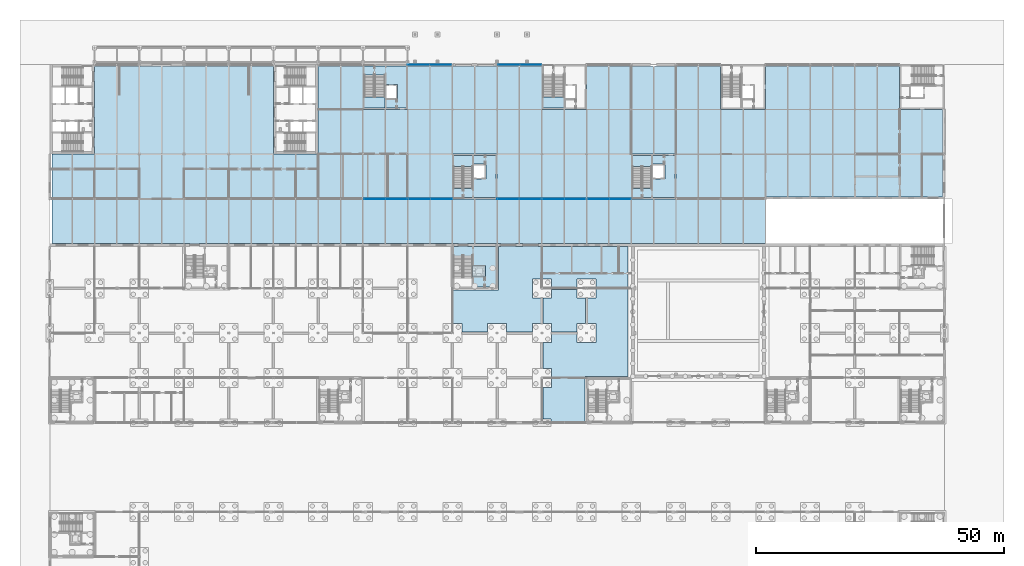
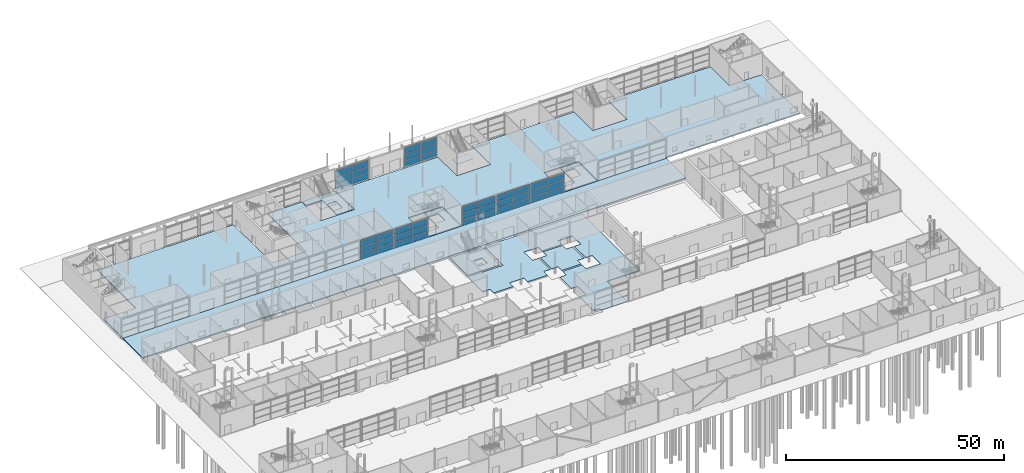
# One storey, part 57 of 97: 42 plates, 13 slabs, 11 elements without a shape of their own.
"""IFC4 building model written with IfcOpenShell, lengths in metres."""

from ifc_helpers import new_model, si_unit, direction, frame, origin, origin_2d, place, context, subcontext, project, spatial, polyline, rectangle, outline, extrude, material, layer, layer_set, type_object, element, aggregate, save


model = new_model("IFC4")

# Units and contexts
model_context = context("Model", 3, precision=1e-05, world=origin(), true_north=direction((0.0, 1.0)))
body_context = subcontext(model_context, "Body", "Model", "MODEL_VIEW")
ifc_project = project(units=[si_unit("LENGTHUNIT", "METRE"), si_unit("AREAUNIT", "SQUARE_METRE"), si_unit("VOLUMEUNIT", "CUBIC_METRE"), si_unit("PLANEANGLEUNIT", "RADIAN"), si_unit("MASSUNIT", "GRAM", prefix="KILO")], contexts=[model_context])

# Site, building, storey
site_placement = place(None, origin())
site = spatial("IfcSite", under=ifc_project, at=site_placement, CompositionType="ELEMENT")
building_placement = place(site_placement, origin())
building = spatial("IfcBuilding", under=site, at=building_placement, Name="Corbel Yard City Hall", CompositionType="ELEMENT")
storey_placement = place(building_placement, origin())
storey = spatial("IfcBuildingStorey", under=building, at=storey_placement, Name="L00", CompositionType="ELEMENT", Elevation=0.0)

# Slabs
ifc_material_1 = material(Name="Concrete N40 (40 MPa)", Category="concrete")
ifc_layer_1 = layer(ifc_material_1, 0.25)
ifc_layer_set_1 = layer_set([ifc_layer_1], Name="Concrete N40 (40 MPa)")
slab_type_1 = type_object("IfcSlabType", Name="CF1", PredefinedType="FLOOR", material=ifc_layer_set_1)
slab_1_placement = place(storey_placement, frame((0.0, 0.0, -0.25)))
element("IfcSlab", 1, at=slab_1_placement, inside=storey, type_object=slab_type_1, Name="Core floor slab", PredefinedType="FLOOR", context=body_context, shape_type="SweptSolid", body=[
    extrude(outline(polyline([(81.25, 72.25), (89.75, 72.25), (89.75, 80.39990234375), (81.25, 80.39990234375), (81.25, 72.25)]), holes=[polyline([(87.64990234375, 76.64990234375), (85.300048828125, 76.64990234375), (85.300048828125, 74.25), (87.64990234375, 74.25), (87.64990234375, 76.64990234375)])]), origin(), (0.0, 0.0, 1.0), 0.25),
])
slab_2_placement = place(storey_placement, frame((0.0, 0.0, -0.25)))
element("IfcSlab", 2, at=slab_2_placement, inside=storey, type_object=slab_type_1, Name="Core floor slab", PredefinedType="FLOOR", context=body_context, shape_type="SweptSolid", body=[
    extrude(outline(polyline([(63.25, 116.75), (63.25, 114.948974609375), (67.449951171875, 114.948974609375), (67.449951171875, 108.25), (71.75, 108.25), (71.75, 116.75), (63.25, 116.75)]), holes=[polyline([(69.949951171875, 110.0), (69.949951171875, 113.0), (67.699951171875, 113.0), (67.699951171875, 110.0), (69.949951171875, 110.0)])]), origin(), (0.0, 0.0, 1.0), 0.25),
])
slab_3_placement = place(storey_placement, frame((0.0, 0.0, -0.25)))
element("IfcSlab", 3, at=slab_3_placement, inside=storey, type_object=slab_type_1, Name="Core floor slab", PredefinedType="FLOOR", context=body_context, shape_type="SweptSolid", body=[
    extrude(outline(polyline([(89.75, 98.75), (85.050048828125, 98.75), (85.050048828125, 92.051025390625), (81.25, 92.051025390625), (81.25, 90.25), (89.75, 90.25), (89.75, 98.75)]), holes=[polyline([(87.75, 94.0), (87.75, 97.0), (85.300048828125, 97.0), (85.300048828125, 94.0), (87.75, 94.0)])]), origin(), (0.0, 0.0, 1.0), 0.25),
])
slab_4_placement = place(storey_placement, frame((0.0, 0.0, -0.25)))
element("IfcSlab", 4, at=slab_4_placement, inside=storey, type_object=slab_type_1, Name="Core floor slab", PredefinedType="FLOOR", context=body_context, shape_type="SweptSolid", body=[
    extrude(outline(polyline([(125.75, 98.75), (121.050048828125, 98.75), (121.050048828125, 92.051025390625), (117.25, 92.051025390625), (117.25, 90.25), (125.75, 90.25), (125.75, 98.75)]), holes=[polyline([(123.75, 94.0), (123.75, 97.0), (121.300048828125, 97.0), (121.300048828125, 94.0), (123.75, 94.0)])]), origin(), (0.0, 0.0, 1.0), 0.25),
])
ifc_layer_2 = layer(ifc_material_1, 0.300048828125)
ifc_layer_set_2 = layer_set([ifc_layer_2], Name="Concrete N40 (40 MPa)")
slab_type_2 = type_object("IfcSlabType", Name="CF2", PredefinedType="BASESLAB", material=ifc_layer_set_2)
slab_5_placement = place(storey_placement, frame((0.0, 0.0, -1.699951171875)))
element("IfcSlab", 5, at=slab_5_placement, inside=storey, type_object=slab_type_2, Name="Lift LP14 pit slab", PredefinedType="BASESLAB", context=body_context, shape_type="SweptSolid", body=[
    extrude(outline(polyline([(85.050048828125, 74.25), (87.64990234375, 74.25), (87.64990234375, 76.64990234375), (85.050048828125, 76.64990234375), (85.050048828125, 74.25)])), origin(), (0.0, 0.0, 1.0), 0.300048828125),
])
ifc_layer_3 = layer(ifc_material_1, 0.25)
ifc_layer_set_3 = layer_set([ifc_layer_3], Name="Concrete N40 (40 MPa)")
slab_type_3 = type_object("IfcSlabType", Name="Car park deck 250", PredefinedType="FLOOR", material=ifc_layer_set_3)
slab_6_placement = place(storey_placement, frame((0.0, 0.0, -0.25)))
element("IfcSlab", 6, at=slab_6_placement, inside=storey, type_object=slab_type_3, Name="Deck slab over the car park", PredefinedType="FLOOR", context=body_context, shape_type="SweptSolid", body=[
    extrude(outline(polyline([(36.199951171875, 116.60009765625), (36.199951171875, 117.0), (35.800048828125, 117.0), (35.800048828125, 116.60009765625), (27.199951171875, 116.60009765625), (27.199951171875, 117.0), (26.800048828125, 117.0), (26.800048828125, 116.60009765625), (18.199951171875, 116.60009765625), (18.199951171875, 117.0), (17.800048828125, 117.0), (17.800048828125, 116.60009765625), (9.0, 116.60009765625), (9.0, 99.0), (0.39990234375, 99.0), (0.39990234375, 90.0078125), (0.0, 90.0078125), (0.0, 90.0), (81.0, 90.0), (81.0, 99.0), (90.0, 99.0), (90.0, 90.0), (117.0, 90.0), (117.0, 99.0), (126.0, 99.0), (126.0, 90.0), (144.138427734375, 90.0), (144.138427734375, 90.39990234375), (179.60009765625, 90.39990234375), (179.60009765625, 98.9921875), (180.0, 98.9921875), (180.0, 99.0078125), (179.60009765625, 99.0078125), (179.60009765625, 108.0), (171.0, 108.0), (171.0, 116.60009765625), (162.138427734375, 116.60009765625), (162.138427734375, 117.0), (161.861572265625, 117.0), (161.861572265625, 116.60009765625), (153.138427734375, 116.60009765625), (153.138427734375, 117.0), (152.861572265625, 117.0), (152.861572265625, 116.60009765625), (144.0, 116.60009765625), (144.0, 108.0), (135.0, 108.0), (135.0, 116.60009765625), (126.138427734375, 116.60009765625), (126.138427734375, 117.0), (125.861572265625, 117.0), (125.861572265625, 116.60009765625), (117.138427734375, 116.60009765625), (117.138427734375, 117.0), (116.861572265625, 117.0), (116.861572265625, 116.60009765625), (108.0, 116.60009765625), (108.0, 108.0), (99.0, 108.0), (99.0, 116.60009765625), (90.138427734375, 116.60009765625), (90.138427734375, 117.0), (89.861572265625, 117.0), (89.861572265625, 116.60009765625), (81.138427734375, 116.60009765625), (81.138427734375, 117.0), (80.861572265625, 117.0), (80.861572265625, 116.60009765625), (72.0, 116.60009765625), (72.0, 108.0), (63.0, 108.0), (63.0, 116.60009765625), (54.0, 116.60009765625), (54.0, 99.0), (45.0, 99.0), (45.0, 116.60009765625), (36.199951171875, 116.60009765625)])), origin(), (0.0, 0.0, 1.0), 0.25),
])
ifc_layer_4 = layer(ifc_material_1, 0.25)
ifc_layer_set_4 = layer_set([ifc_layer_4], Name="Concrete N40 (40 MPa)")
slab_type_4 = type_object("IfcSlabType", Name="Court deck 250", PredefinedType="FLOOR", material=ifc_layer_set_4)
slab_7_placement = place(storey_placement, frame((0.0, 0.0, -0.25)))
element("IfcSlab", 7, at=slab_7_placement, inside=storey, type_object=slab_type_4, Name="Deck slab over the entry lane", PredefinedType="FLOOR", context=body_context, shape_type="SweptSolid", body=[
    extrude(outline(polyline([(144.0, 81.0), (144.0, 90.0), (0.0, 90.0), (0.0, 89.9921875), (0.39990234375, 89.9921875), (0.39990234375, 81.0), (144.0, 81.0)])), origin(), (0.0, 0.0, 1.0), 0.25),
])
ifc_layer_5 = layer(ifc_material_1, 0.199951171875)
ifc_layer_set_5 = layer_set([ifc_layer_5], Name="Concrete N40 (40 MPa)")
slab_type_5 = type_object("IfcSlabType", Name="Ground slab 200", PredefinedType="BASESLAB", material=ifc_layer_set_5)
slab_8_placement = place(storey_placement, frame((0.0, 0.0, -0.199951171875)))
element("IfcSlab", 8, at=slab_8_placement, inside=storey, type_object=slab_type_5, Name="Ground slab on grade Civic Foyer", PredefinedType="BASESLAB", context=body_context, shape_type="SweptSolid", body=[
    extrude(outline(polyline([(90.300048828125, 80.39990234375), (90.300048828125, 71.699951171875), (81.0, 71.699951171875), (81.0, 64.89990234375), (82.89990234375, 64.89990234375), (82.89990234375, 63.199951171875), (88.10009765625, 63.199951171875), (88.10009765625, 64.89990234375), (91.89990234375, 64.89990234375), (91.89990234375, 63.199951171875), (97.10009765625, 63.199951171875), (97.10009765625, 64.89990234375), (98.800048828125, 64.89990234375), (98.800048828125, 70.10009765625), (97.10009765625, 70.10009765625), (97.10009765625, 73.89990234375), (100.89990234375, 73.89990234375), (100.89990234375, 72.199951171875), (106.10009765625, 72.199951171875), (106.10009765625, 73.89990234375), (109.89990234375, 73.89990234375), (109.89990234375, 70.10009765625), (108.199951171875, 70.10009765625), (108.199951171875, 64.89990234375), (109.89990234375, 64.89990234375), (109.89990234375, 61.10009765625), (106.10009765625, 61.10009765625), (106.10009765625, 62.800048828125), (100.89990234375, 62.800048828125), (100.89990234375, 61.10009765625), (99.199951171875, 61.10009765625), (99.199951171875, 55.89990234375), (100.89990234375, 55.89990234375), (100.89990234375, 52.10009765625), (99.199951171875, 52.10009765625), (99.199951171875, 45.75), (100.800048828125, 45.75), (100.800048828125, 45.0), (107.699951171875, 45.0), (107.699951171875, 54.300048828125), (116.300048828125, 54.300048828125), (116.300048828125, 80.39990234375), (90.300048828125, 80.39990234375)])), origin(), (0.0, 0.0, 1.0), 0.199951171875),
])
slab_9_placement = place(storey_placement, frame((0.0, 0.0, -0.199951171875)))
element("IfcSlab", 9, at=slab_9_placement, inside=storey, type_object=slab_type_5, Name="Ground slab on grade Civic Foyer", PredefinedType="BASESLAB", context=body_context, shape_type="SweptSolid", body=[
    extrude(outline(polyline([(100.89990234375, 63.199951171875), (106.10009765625, 63.199951171875), (106.10009765625, 64.89990234375), (107.800048828125, 64.89990234375), (107.800048828125, 70.10009765625), (106.10009765625, 70.10009765625), (106.10009765625, 71.800048828125), (100.89990234375, 71.800048828125), (100.89990234375, 70.10009765625), (99.199951171875, 70.10009765625), (99.199951171875, 64.89990234375), (100.89990234375, 64.89990234375), (100.89990234375, 63.199951171875)])), origin(), (0.0, 0.0, 1.0), 0.199951171875),
])

# Stair, slab
stair_type_1 = type_object("IfcStairType", Name="ST32", PredefinedType="HALF_TURN_STAIR", material=ifc_material_1)
stair_1_placement = place(storey_placement, origin())
stair_1 = element("IfcStair", 10, at=stair_1_placement, inside=storey, type_object=stair_type_1, Name="Exit stair L00", PredefinedType="HALF_TURN_STAIR")
ifc_layer_6 = layer(ifc_material_1, 0.199951171875)
ifc_layer_set_6 = layer_set([ifc_layer_6], Name="Concrete N40 (40 MPa)")
slab_type_6 = type_object("IfcSlabType", Name="LN1", PredefinedType="LANDING", material=ifc_layer_set_6)
slab_10_placement = place(storey_placement, frame((0.0, 0.0, 2.800048828125)))
slab_10 = element("IfcSlab", 11, at=slab_10_placement, type_object=slab_type_6, Name="PS16 landing 1", PredefinedType="LANDING", context=body_context, shape_type="SweptSolid", body=[
    extrude(outline(polyline([(63.25, 108.25), (67.449951171875, 108.25), (67.449951171875, 110.469970703125), (63.25, 110.469970703125), (63.25, 108.25)])), origin(), (0.0, 0.0, 1.0), 0.199951171875),
])
aggregate(stair_1, [slab_10])

stair_2_placement = place(storey_placement, origin())
stair_2 = element("IfcStair", 12, at=stair_2_placement, inside=storey, type_object=stair_type_1, Name="Exit stair L00", PredefinedType="HALF_TURN_STAIR")
slab_11_placement = place(storey_placement, frame((0.0, 0.0, 2.800048828125)))
slab_11 = element("IfcSlab", 13, at=slab_11_placement, type_object=slab_type_6, Name="PS17 landing 1", PredefinedType="LANDING", context=body_context, shape_type="SweptSolid", body=[
    extrude(outline(polyline([(99.25, 108.25), (103.449951171875, 108.25), (103.449951171875, 110.469970703125), (99.25, 110.469970703125), (99.25, 108.25)])), origin(), (0.0, 0.0, 1.0), 0.199951171875),
])
aggregate(stair_2, [slab_11])

stair_type_2 = type_object("IfcStairType", Name="ST2", PredefinedType="HALF_TURN_STAIR", material=ifc_material_1)
stair_3_placement = place(storey_placement, origin())
stair_3 = element("IfcStair", 14, at=stair_3_placement, inside=storey, type_object=stair_type_2, Name="Exit stair L00", PredefinedType="HALF_TURN_STAIR")
slab_12_placement = place(storey_placement, frame((0.0, 0.0, 2.800048828125)))
slab_12 = element("IfcSlab", 15, at=slab_12_placement, type_object=slab_type_6, Name="PS20 landing 1", PredefinedType="LANDING", context=body_context, shape_type="SweptSolid", body=[
    extrude(outline(polyline([(81.25, 96.530029296875), (85.050048828125, 96.530029296875), (85.050048828125, 98.75), (81.25, 98.75), (81.25, 96.530029296875)])), origin(), (0.0, 0.0, 1.0), 0.199951171875),
])
aggregate(stair_3, [slab_12])

stair_4_placement = place(storey_placement, origin())
stair_4 = element("IfcStair", 16, at=stair_4_placement, inside=storey, type_object=stair_type_2, Name="Exit stair L00", PredefinedType="HALF_TURN_STAIR")
slab_13_placement = place(storey_placement, frame((0.0, 0.0, 2.800048828125)))
slab_13 = element("IfcSlab", 17, at=slab_13_placement, type_object=slab_type_6, Name="PS21 landing 1", PredefinedType="LANDING", context=body_context, shape_type="SweptSolid", body=[
    extrude(outline(polyline([(117.25, 96.530029296875), (121.050048828125, 96.530029296875), (121.050048828125, 98.75), (117.25, 98.75), (117.25, 96.530029296875)])), origin(), (0.0, 0.0, 1.0), 0.199951171875),
])
aggregate(stair_4, [slab_13])

# Curtain wall, plates
ifc_material_2 = material(Name="Aluminium extrusion", Category="aluminium")
ifc_layer_7 = layer(ifc_material_2, 0.25)
ifc_layer_set_7 = layer_set([ifc_layer_7], Name="Aluminium extrusion")
curtain_wall_type = type_object("IfcCurtainWallType", Name="CW4", PredefinedType="USERDEFINED", material=ifc_layer_set_7)
curtain_wall_1_placement = place(storey_placement, origin())
curtain_wall_1 = element("IfcCurtainWall", 18, at=curtain_wall_1_placement, inside=storey, type_object=curtain_wall_type, Name="Curtain wall CW4 L00", ObjectType="CURTAIN WALL", PredefinedType="USERDEFINED")
ifc_material_3 = material(Name="Laminated toughened storefront glass", Category="glass")
ifc_layer_8 = layer(ifc_material_3, 0.0400390625)
ifc_layer_set_8 = layer_set([ifc_layer_8], Name="Laminated toughened storefront glass")
plate_type = type_object("IfcPlateType", Name="PN5", PredefinedType="CURTAIN_PANEL", material=ifc_layer_set_8)
plate_1_placement = place(storey_placement, frame((65.344970703125, 90.0, 0.06494140625), z_axis=(0.0, 0.0, 1.0), x_axis=(1.0, 0.0, 0.0)))
plate_1 = element("IfcPlate", 19, at=plate_1_placement, type_object=plate_type, Name="CW4 panel 1.1", PredefinedType="CURTAIN_PANEL", context=body_context, shape_type="SweptSolid", body=[
    extrude(rectangle(XDim=4.2451171875, YDim=0.0400390625, at=origin_2d()), origin(), (0.0, 0.0, 1.0), 1.71728515625),
])
plate_2_placement = place(storey_placement, frame((65.344970703125, 90.0, 1.84716796875), z_axis=(0.0, 0.0, 1.0), x_axis=(1.0, 0.0, 0.0)))
plate_2 = element("IfcPlate", 20, at=plate_2_placement, type_object=plate_type, Name="CW4 panel 1.2", PredefinedType="CURTAIN_PANEL", context=body_context, shape_type="SweptSolid", body=[
    extrude(rectangle(XDim=4.2451171875, YDim=0.0400390625, at=origin_2d()), origin(), (0.0, 0.0, 1.0), 1.749755859375),
])
plate_3_placement = place(storey_placement, frame((65.344970703125, 90.0, 3.661865234375), z_axis=(0.0, 0.0, 1.0), x_axis=(1.0, 0.0, 0.0)))
plate_3 = element("IfcPlate", 21, at=plate_3_placement, type_object=plate_type, Name="CW4 panel 1.3", PredefinedType="CURTAIN_PANEL", context=body_context, shape_type="SweptSolid", body=[
    extrude(rectangle(XDim=4.2451171875, YDim=0.0400390625, at=origin_2d()), origin(), (0.0, 0.0, 1.0), 1.71728515625),
])
plate_4_placement = place(storey_placement, frame((69.655029296875, 90.0, 0.06494140625), z_axis=(0.0, 0.0, 1.0), x_axis=(1.0, 0.0, 0.0)))
plate_4 = element("IfcPlate", 22, at=plate_4_placement, type_object=plate_type, Name="CW4 panel 2.1", PredefinedType="CURTAIN_PANEL", context=body_context, shape_type="SweptSolid", body=[
    extrude(rectangle(XDim=4.2451171875, YDim=0.0400390625, at=origin_2d()), origin(), (0.0, 0.0, 1.0), 1.71728515625),
])
plate_5_placement = place(storey_placement, frame((69.655029296875, 90.0, 1.84716796875), z_axis=(0.0, 0.0, 1.0), x_axis=(1.0, 0.0, 0.0)))
plate_5 = element("IfcPlate", 23, at=plate_5_placement, type_object=plate_type, Name="CW4 panel 2.2", PredefinedType="CURTAIN_PANEL", context=body_context, shape_type="SweptSolid", body=[
    extrude(rectangle(XDim=4.2451171875, YDim=0.0400390625, at=origin_2d()), origin(), (0.0, 0.0, 1.0), 1.749755859375),
])
plate_6_placement = place(storey_placement, frame((69.655029296875, 90.0, 3.661865234375), z_axis=(0.0, 0.0, 1.0), x_axis=(1.0, 0.0, 0.0)))
plate_6 = element("IfcPlate", 24, at=plate_6_placement, type_object=plate_type, Name="CW4 panel 2.3", PredefinedType="CURTAIN_PANEL", context=body_context, shape_type="SweptSolid", body=[
    extrude(rectangle(XDim=4.2451171875, YDim=0.0400390625, at=origin_2d()), origin(), (0.0, 0.0, 1.0), 1.71728515625),
])
aggregate(curtain_wall_1, [plate_1, plate_2, plate_3, plate_4, plate_5, plate_6])

curtain_wall_2_placement = place(storey_placement, origin())
curtain_wall_2 = element("IfcCurtainWall", 25, at=curtain_wall_2_placement, inside=storey, type_object=curtain_wall_type, Name="Curtain wall CW4 L00", ObjectType="CURTAIN WALL", PredefinedType="USERDEFINED")
plate_7_placement = place(storey_placement, frame((74.38427734375, 90.0, 0.06494140625), z_axis=(0.0, 0.0, 1.0), x_axis=(1.0, 0.0, 0.0)))
plate_7 = element("IfcPlate", 26, at=plate_7_placement, type_object=plate_type, Name="CW4 panel 1.1", PredefinedType="CURTAIN_PANEL", context=body_context, shape_type="SweptSolid", body=[
    extrude(rectangle(XDim=4.32373046875, YDim=0.0400390625, at=origin_2d()), origin(), (0.0, 0.0, 1.0), 1.71728515625),
])
plate_8_placement = place(storey_placement, frame((74.38427734375, 90.0, 1.84716796875), z_axis=(0.0, 0.0, 1.0), x_axis=(1.0, 0.0, 0.0)))
plate_8 = element("IfcPlate", 27, at=plate_8_placement, type_object=plate_type, Name="CW4 panel 1.2", PredefinedType="CURTAIN_PANEL", context=body_context, shape_type="SweptSolid", body=[
    extrude(rectangle(XDim=4.32373046875, YDim=0.0400390625, at=origin_2d()), origin(), (0.0, 0.0, 1.0), 1.749755859375),
])
plate_9_placement = place(storey_placement, frame((74.38427734375, 90.0, 3.661865234375), z_axis=(0.0, 0.0, 1.0), x_axis=(1.0, 0.0, 0.0)))
plate_9 = element("IfcPlate", 28, at=plate_9_placement, type_object=plate_type, Name="CW4 panel 1.3", PredefinedType="CURTAIN_PANEL", context=body_context, shape_type="SweptSolid", body=[
    extrude(rectangle(XDim=4.32373046875, YDim=0.0400390625, at=origin_2d()), origin(), (0.0, 0.0, 1.0), 1.71728515625),
])
plate_10_placement = place(storey_placement, frame((78.773193359375, 90.0, 0.06494140625), z_axis=(0.0, 0.0, 1.0), x_axis=(1.0, 0.0, 0.0)))
plate_10 = element("IfcPlate", 29, at=plate_10_placement, type_object=plate_type, Name="CW4 panel 2.1", PredefinedType="CURTAIN_PANEL", context=body_context, shape_type="SweptSolid", body=[
    extrude(rectangle(XDim=4.32373046875, YDim=0.0400390625, at=origin_2d()), origin(), (0.0, 0.0, 1.0), 1.71728515625),
])
plate_11_placement = place(storey_placement, frame((78.773193359375, 90.0, 1.84716796875), z_axis=(0.0, 0.0, 1.0), x_axis=(1.0, 0.0, 0.0)))
plate_11 = element("IfcPlate", 30, at=plate_11_placement, type_object=plate_type, Name="CW4 panel 2.2", PredefinedType="CURTAIN_PANEL", context=body_context, shape_type="SweptSolid", body=[
    extrude(rectangle(XDim=4.32373046875, YDim=0.0400390625, at=origin_2d()), origin(), (0.0, 0.0, 1.0), 1.749755859375),
])
plate_12_placement = place(storey_placement, frame((78.773193359375, 90.0, 3.661865234375), z_axis=(0.0, 0.0, 1.0), x_axis=(1.0, 0.0, 0.0)))
plate_12 = element("IfcPlate", 31, at=plate_12_placement, type_object=plate_type, Name="CW4 panel 2.3", PredefinedType="CURTAIN_PANEL", context=body_context, shape_type="SweptSolid", body=[
    extrude(rectangle(XDim=4.32373046875, YDim=0.0400390625, at=origin_2d()), origin(), (0.0, 0.0, 1.0), 1.71728515625),
])
aggregate(curtain_wall_2, [plate_7, plate_8, plate_9, plate_10, plate_11, plate_12])

curtain_wall_3_placement = place(storey_placement, origin())
curtain_wall_3 = element("IfcCurtainWall", 32, at=curtain_wall_3_placement, inside=storey, type_object=curtain_wall_type, Name="Curtain wall CW4 L00", ObjectType="CURTAIN WALL", PredefinedType="USERDEFINED")
plate_13_placement = place(storey_placement, frame((92.226806640625, 90.0, 0.06494140625), z_axis=(0.0, 0.0, 1.0), x_axis=(1.0, 0.0, 0.0)))
plate_13 = element("IfcPlate", 33, at=plate_13_placement, type_object=plate_type, Name="CW4 panel 1.1", PredefinedType="CURTAIN_PANEL", context=body_context, shape_type="SweptSolid", body=[
    extrude(rectangle(XDim=4.32373046875, YDim=0.0400390625, at=origin_2d()), origin(), (0.0, 0.0, 1.0), 1.71728515625),
])
plate_14_placement = place(storey_placement, frame((92.226806640625, 90.0, 1.84716796875), z_axis=(0.0, 0.0, 1.0), x_axis=(1.0, 0.0, 0.0)))
plate_14 = element("IfcPlate", 34, at=plate_14_placement, type_object=plate_type, Name="CW4 panel 1.2", PredefinedType="CURTAIN_PANEL", context=body_context, shape_type="SweptSolid", body=[
    extrude(rectangle(XDim=4.32373046875, YDim=0.0400390625, at=origin_2d()), origin(), (0.0, 0.0, 1.0), 1.749755859375),
])
plate_15_placement = place(storey_placement, frame((92.226806640625, 90.0, 3.661865234375), z_axis=(0.0, 0.0, 1.0), x_axis=(1.0, 0.0, 0.0)))
plate_15 = element("IfcPlate", 35, at=plate_15_placement, type_object=plate_type, Name="CW4 panel 1.3", PredefinedType="CURTAIN_PANEL", context=body_context, shape_type="SweptSolid", body=[
    extrude(rectangle(XDim=4.32373046875, YDim=0.0400390625, at=origin_2d()), origin(), (0.0, 0.0, 1.0), 1.71728515625),
])
plate_16_placement = place(storey_placement, frame((96.61572265625, 90.0, 0.06494140625), z_axis=(0.0, 0.0, 1.0), x_axis=(1.0, 0.0, 0.0)))
plate_16 = element("IfcPlate", 36, at=plate_16_placement, type_object=plate_type, Name="CW4 panel 2.1", PredefinedType="CURTAIN_PANEL", context=body_context, shape_type="SweptSolid", body=[
    extrude(rectangle(XDim=4.32373046875, YDim=0.0400390625, at=origin_2d()), origin(), (0.0, 0.0, 1.0), 1.71728515625),
])
plate_17_placement = place(storey_placement, frame((96.61572265625, 90.0, 1.84716796875), z_axis=(0.0, 0.0, 1.0), x_axis=(1.0, 0.0, 0.0)))
plate_17 = element("IfcPlate", 37, at=plate_17_placement, type_object=plate_type, Name="CW4 panel 2.2", PredefinedType="CURTAIN_PANEL", context=body_context, shape_type="SweptSolid", body=[
    extrude(rectangle(XDim=4.32373046875, YDim=0.0400390625, at=origin_2d()), origin(), (0.0, 0.0, 1.0), 1.749755859375),
])
plate_18_placement = place(storey_placement, frame((96.61572265625, 90.0, 3.661865234375), z_axis=(0.0, 0.0, 1.0), x_axis=(1.0, 0.0, 0.0)))
plate_18 = element("IfcPlate", 38, at=plate_18_placement, type_object=plate_type, Name="CW4 panel 2.3", PredefinedType="CURTAIN_PANEL", context=body_context, shape_type="SweptSolid", body=[
    extrude(rectangle(XDim=4.32373046875, YDim=0.0400390625, at=origin_2d()), origin(), (0.0, 0.0, 1.0), 1.71728515625),
])
aggregate(curtain_wall_3, [plate_13, plate_14, plate_15, plate_16, plate_17, plate_18])

curtain_wall_4_placement = place(storey_placement, origin())
curtain_wall_4 = element("IfcCurtainWall", 39, at=curtain_wall_4_placement, inside=storey, type_object=curtain_wall_type, Name="Curtain wall CW4 L00", ObjectType="CURTAIN WALL", PredefinedType="USERDEFINED")
plate_19_placement = place(storey_placement, frame((101.344970703125, 90.0, 0.06494140625), z_axis=(0.0, 0.0, 1.0), x_axis=(1.0, 0.0, 0.0)))
plate_19 = element("IfcPlate", 40, at=plate_19_placement, type_object=plate_type, Name="CW4 panel 1.1", PredefinedType="CURTAIN_PANEL", context=body_context, shape_type="SweptSolid", body=[
    extrude(rectangle(XDim=4.2451171875, YDim=0.0400390625, at=origin_2d()), origin(), (0.0, 0.0, 1.0), 1.71728515625),
])
plate_20_placement = place(storey_placement, frame((101.344970703125, 90.0, 1.84716796875), z_axis=(0.0, 0.0, 1.0), x_axis=(1.0, 0.0, 0.0)))
plate_20 = element("IfcPlate", 41, at=plate_20_placement, type_object=plate_type, Name="CW4 panel 1.2", PredefinedType="CURTAIN_PANEL", context=body_context, shape_type="SweptSolid", body=[
    extrude(rectangle(XDim=4.2451171875, YDim=0.0400390625, at=origin_2d()), origin(), (0.0, 0.0, 1.0), 1.749755859375),
])
plate_21_placement = place(storey_placement, frame((101.344970703125, 90.0, 3.661865234375), z_axis=(0.0, 0.0, 1.0), x_axis=(1.0, 0.0, 0.0)))
plate_21 = element("IfcPlate", 42, at=plate_21_placement, type_object=plate_type, Name="CW4 panel 1.3", PredefinedType="CURTAIN_PANEL", context=body_context, shape_type="SweptSolid", body=[
    extrude(rectangle(XDim=4.2451171875, YDim=0.0400390625, at=origin_2d()), origin(), (0.0, 0.0, 1.0), 1.71728515625),
])
plate_22_placement = place(storey_placement, frame((105.655029296875, 90.0, 0.06494140625), z_axis=(0.0, 0.0, 1.0), x_axis=(1.0, 0.0, 0.0)))
plate_22 = element("IfcPlate", 43, at=plate_22_placement, type_object=plate_type, Name="CW4 panel 2.1", PredefinedType="CURTAIN_PANEL", context=body_context, shape_type="SweptSolid", body=[
    extrude(rectangle(XDim=4.2451171875, YDim=0.0400390625, at=origin_2d()), origin(), (0.0, 0.0, 1.0), 1.71728515625),
])
plate_23_placement = place(storey_placement, frame((105.655029296875, 90.0, 1.84716796875), z_axis=(0.0, 0.0, 1.0), x_axis=(1.0, 0.0, 0.0)))
plate_23 = element("IfcPlate", 44, at=plate_23_placement, type_object=plate_type, Name="CW4 panel 2.2", PredefinedType="CURTAIN_PANEL", context=body_context, shape_type="SweptSolid", body=[
    extrude(rectangle(XDim=4.2451171875, YDim=0.0400390625, at=origin_2d()), origin(), (0.0, 0.0, 1.0), 1.749755859375),
])
plate_24_placement = place(storey_placement, frame((105.655029296875, 90.0, 3.661865234375), z_axis=(0.0, 0.0, 1.0), x_axis=(1.0, 0.0, 0.0)))
plate_24 = element("IfcPlate", 45, at=plate_24_placement, type_object=plate_type, Name="CW4 panel 2.3", PredefinedType="CURTAIN_PANEL", context=body_context, shape_type="SweptSolid", body=[
    extrude(rectangle(XDim=4.2451171875, YDim=0.0400390625, at=origin_2d()), origin(), (0.0, 0.0, 1.0), 1.71728515625),
])
aggregate(curtain_wall_4, [plate_19, plate_20, plate_21, plate_22, plate_23, plate_24])

curtain_wall_5_placement = place(storey_placement, origin())
curtain_wall_5 = element("IfcCurtainWall", 46, at=curtain_wall_5_placement, inside=storey, type_object=curtain_wall_type, Name="Curtain wall CW4 L00", ObjectType="CURTAIN WALL", PredefinedType="USERDEFINED")
plate_25_placement = place(storey_placement, frame((110.38427734375, 90.0, 0.06494140625), z_axis=(0.0, 0.0, 1.0), x_axis=(1.0, 0.0, 0.0)))
plate_25 = element("IfcPlate", 47, at=plate_25_placement, type_object=plate_type, Name="CW4 panel 1.1", PredefinedType="CURTAIN_PANEL", context=body_context, shape_type="SweptSolid", body=[
    extrude(rectangle(XDim=4.32373046875, YDim=0.0400390625, at=origin_2d()), origin(), (0.0, 0.0, 1.0), 1.71728515625),
])
plate_26_placement = place(storey_placement, frame((110.38427734375, 90.0, 1.84716796875), z_axis=(0.0, 0.0, 1.0), x_axis=(1.0, 0.0, 0.0)))
plate_26 = element("IfcPlate", 48, at=plate_26_placement, type_object=plate_type, Name="CW4 panel 1.2", PredefinedType="CURTAIN_PANEL", context=body_context, shape_type="SweptSolid", body=[
    extrude(rectangle(XDim=4.32373046875, YDim=0.0400390625, at=origin_2d()), origin(), (0.0, 0.0, 1.0), 1.749755859375),
])
plate_27_placement = place(storey_placement, frame((110.38427734375, 90.0, 3.661865234375), z_axis=(0.0, 0.0, 1.0), x_axis=(1.0, 0.0, 0.0)))
plate_27 = element("IfcPlate", 49, at=plate_27_placement, type_object=plate_type, Name="CW4 panel 1.3", PredefinedType="CURTAIN_PANEL", context=body_context, shape_type="SweptSolid", body=[
    extrude(rectangle(XDim=4.32373046875, YDim=0.0400390625, at=origin_2d()), origin(), (0.0, 0.0, 1.0), 1.71728515625),
])
plate_28_placement = place(storey_placement, frame((114.773193359375, 90.0, 0.06494140625), z_axis=(0.0, 0.0, 1.0), x_axis=(1.0, 0.0, 0.0)))
plate_28 = element("IfcPlate", 50, at=plate_28_placement, type_object=plate_type, Name="CW4 panel 2.1", PredefinedType="CURTAIN_PANEL", context=body_context, shape_type="SweptSolid", body=[
    extrude(rectangle(XDim=4.32373046875, YDim=0.0400390625, at=origin_2d()), origin(), (0.0, 0.0, 1.0), 1.71728515625),
])
plate_29_placement = place(storey_placement, frame((114.773193359375, 90.0, 1.84716796875), z_axis=(0.0, 0.0, 1.0), x_axis=(1.0, 0.0, 0.0)))
plate_29 = element("IfcPlate", 51, at=plate_29_placement, type_object=plate_type, Name="CW4 panel 2.2", PredefinedType="CURTAIN_PANEL", context=body_context, shape_type="SweptSolid", body=[
    extrude(rectangle(XDim=4.32373046875, YDim=0.0400390625, at=origin_2d()), origin(), (0.0, 0.0, 1.0), 1.749755859375),
])
plate_30_placement = place(storey_placement, frame((114.773193359375, 90.0, 3.661865234375), z_axis=(0.0, 0.0, 1.0), x_axis=(1.0, 0.0, 0.0)))
plate_30 = element("IfcPlate", 52, at=plate_30_placement, type_object=plate_type, Name="CW4 panel 2.3", PredefinedType="CURTAIN_PANEL", context=body_context, shape_type="SweptSolid", body=[
    extrude(rectangle(XDim=4.32373046875, YDim=0.0400390625, at=origin_2d()), origin(), (0.0, 0.0, 1.0), 1.71728515625),
])
aggregate(curtain_wall_5, [plate_25, plate_26, plate_27, plate_28, plate_29, plate_30])

curtain_wall_6_placement = place(storey_placement, origin())
curtain_wall_6 = element("IfcCurtainWall", 53, at=curtain_wall_6_placement, inside=storey, type_object=curtain_wall_type, Name="Curtain wall CW4 L00", ObjectType="CURTAIN WALL", PredefinedType="USERDEFINED")
plate_31_placement = place(storey_placement, frame((74.226806640625, 117.0, 0.06494140625), z_axis=(0.0, 0.0, 1.0), x_axis=(1.0, 0.0, 0.0)))
plate_31 = element("IfcPlate", 54, at=plate_31_placement, type_object=plate_type, Name="CW4 panel 1.1", PredefinedType="CURTAIN_PANEL", context=body_context, shape_type="SweptSolid", body=[
    extrude(rectangle(XDim=4.32373046875, YDim=0.0400390625, at=origin_2d()), origin(), (0.0, 0.0, 1.0), 1.71728515625),
])
plate_32_placement = place(storey_placement, frame((74.226806640625, 117.0, 1.84716796875), z_axis=(0.0, 0.0, 1.0), x_axis=(1.0, 0.0, 0.0)))
plate_32 = element("IfcPlate", 55, at=plate_32_placement, type_object=plate_type, Name="CW4 panel 1.2", PredefinedType="CURTAIN_PANEL", context=body_context, shape_type="SweptSolid", body=[
    extrude(rectangle(XDim=4.32373046875, YDim=0.0400390625, at=origin_2d()), origin(), (0.0, 0.0, 1.0), 1.749755859375),
])
plate_33_placement = place(storey_placement, frame((74.226806640625, 117.0, 3.661865234375), z_axis=(0.0, 0.0, 1.0), x_axis=(1.0, 0.0, 0.0)))
plate_33 = element("IfcPlate", 56, at=plate_33_placement, type_object=plate_type, Name="CW4 panel 1.3", PredefinedType="CURTAIN_PANEL", context=body_context, shape_type="SweptSolid", body=[
    extrude(rectangle(XDim=4.32373046875, YDim=0.0400390625, at=origin_2d()), origin(), (0.0, 0.0, 1.0), 1.71728515625),
])
plate_34_placement = place(storey_placement, frame((78.61572265625, 117.0, 0.06494140625), z_axis=(0.0, 0.0, 1.0), x_axis=(1.0, 0.0, 0.0)))
plate_34 = element("IfcPlate", 57, at=plate_34_placement, type_object=plate_type, Name="CW4 panel 2.1", PredefinedType="CURTAIN_PANEL", context=body_context, shape_type="SweptSolid", body=[
    extrude(rectangle(XDim=4.32373046875, YDim=0.0400390625, at=origin_2d()), origin(), (0.0, 0.0, 1.0), 1.71728515625),
])
plate_35_placement = place(storey_placement, frame((78.61572265625, 117.0, 1.84716796875), z_axis=(0.0, 0.0, 1.0), x_axis=(1.0, 0.0, 0.0)))
plate_35 = element("IfcPlate", 58, at=plate_35_placement, type_object=plate_type, Name="CW4 panel 2.2", PredefinedType="CURTAIN_PANEL", context=body_context, shape_type="SweptSolid", body=[
    extrude(rectangle(XDim=4.32373046875, YDim=0.0400390625, at=origin_2d()), origin(), (0.0, 0.0, 1.0), 1.749755859375),
])
plate_36_placement = place(storey_placement, frame((78.61572265625, 117.0, 3.661865234375), z_axis=(0.0, 0.0, 1.0), x_axis=(1.0, 0.0, 0.0)))
plate_36 = element("IfcPlate", 59, at=plate_36_placement, type_object=plate_type, Name="CW4 panel 2.3", PredefinedType="CURTAIN_PANEL", context=body_context, shape_type="SweptSolid", body=[
    extrude(rectangle(XDim=4.32373046875, YDim=0.0400390625, at=origin_2d()), origin(), (0.0, 0.0, 1.0), 1.71728515625),
])
aggregate(curtain_wall_6, [plate_31, plate_32, plate_33, plate_34, plate_35, plate_36])

curtain_wall_7_placement = place(storey_placement, origin())
curtain_wall_7 = element("IfcCurtainWall", 60, at=curtain_wall_7_placement, inside=storey, type_object=curtain_wall_type, Name="Curtain wall CW4 L00", ObjectType="CURTAIN WALL", PredefinedType="USERDEFINED")
plate_37_placement = place(storey_placement, frame((92.38427734375, 117.0, 0.06494140625), z_axis=(0.0, 0.0, 1.0), x_axis=(1.0, 0.0, 0.0)))
plate_37 = element("IfcPlate", 61, at=plate_37_placement, type_object=plate_type, Name="CW4 panel 1.1", PredefinedType="CURTAIN_PANEL", context=body_context, shape_type="SweptSolid", body=[
    extrude(rectangle(XDim=4.32373046875, YDim=0.0400390625, at=origin_2d()), origin(), (0.0, 0.0, 1.0), 1.71728515625),
])
plate_38_placement = place(storey_placement, frame((92.38427734375, 117.0, 1.84716796875), z_axis=(0.0, 0.0, 1.0), x_axis=(1.0, 0.0, 0.0)))
plate_38 = element("IfcPlate", 62, at=plate_38_placement, type_object=plate_type, Name="CW4 panel 1.2", PredefinedType="CURTAIN_PANEL", context=body_context, shape_type="SweptSolid", body=[
    extrude(rectangle(XDim=4.32373046875, YDim=0.0400390625, at=origin_2d()), origin(), (0.0, 0.0, 1.0), 1.749755859375),
])
plate_39_placement = place(storey_placement, frame((92.38427734375, 117.0, 3.661865234375), z_axis=(0.0, 0.0, 1.0), x_axis=(1.0, 0.0, 0.0)))
plate_39 = element("IfcPlate", 63, at=plate_39_placement, type_object=plate_type, Name="CW4 panel 1.3", PredefinedType="CURTAIN_PANEL", context=body_context, shape_type="SweptSolid", body=[
    extrude(rectangle(XDim=4.32373046875, YDim=0.0400390625, at=origin_2d()), origin(), (0.0, 0.0, 1.0), 1.71728515625),
])
plate_40_placement = place(storey_placement, frame((96.773193359375, 117.0, 0.06494140625), z_axis=(0.0, 0.0, 1.0), x_axis=(1.0, 0.0, 0.0)))
plate_40 = element("IfcPlate", 64, at=plate_40_placement, type_object=plate_type, Name="CW4 panel 2.1", PredefinedType="CURTAIN_PANEL", context=body_context, shape_type="SweptSolid", body=[
    extrude(rectangle(XDim=4.32373046875, YDim=0.0400390625, at=origin_2d()), origin(), (0.0, 0.0, 1.0), 1.71728515625),
])
plate_41_placement = place(storey_placement, frame((96.773193359375, 117.0, 1.84716796875), z_axis=(0.0, 0.0, 1.0), x_axis=(1.0, 0.0, 0.0)))
plate_41 = element("IfcPlate", 65, at=plate_41_placement, type_object=plate_type, Name="CW4 panel 2.2", PredefinedType="CURTAIN_PANEL", context=body_context, shape_type="SweptSolid", body=[
    extrude(rectangle(XDim=4.32373046875, YDim=0.0400390625, at=origin_2d()), origin(), (0.0, 0.0, 1.0), 1.749755859375),
])
plate_42_placement = place(storey_placement, frame((96.773193359375, 117.0, 3.661865234375), z_axis=(0.0, 0.0, 1.0), x_axis=(1.0, 0.0, 0.0)))
plate_42 = element("IfcPlate", 66, at=plate_42_placement, type_object=plate_type, Name="CW4 panel 2.3", PredefinedType="CURTAIN_PANEL", context=body_context, shape_type="SweptSolid", body=[
    extrude(rectangle(XDim=4.32373046875, YDim=0.0400390625, at=origin_2d()), origin(), (0.0, 0.0, 1.0), 1.71728515625),
])
aggregate(curtain_wall_7, [plate_37, plate_38, plate_39, plate_40, plate_41, plate_42])

save(model, "model.ifc")
